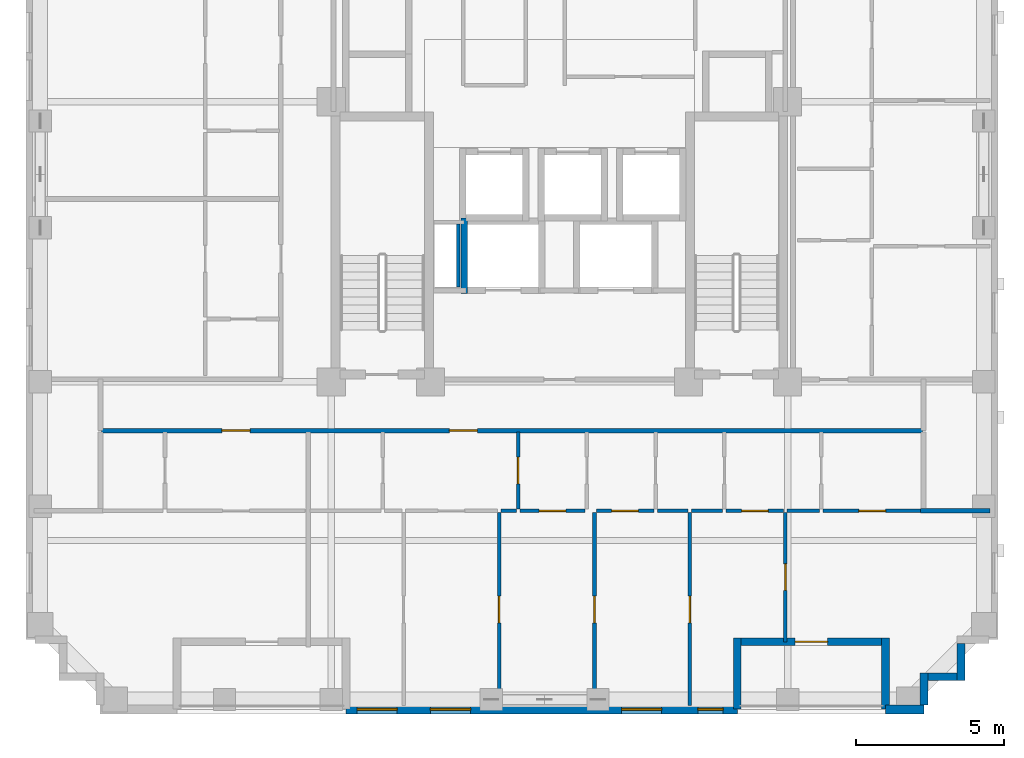
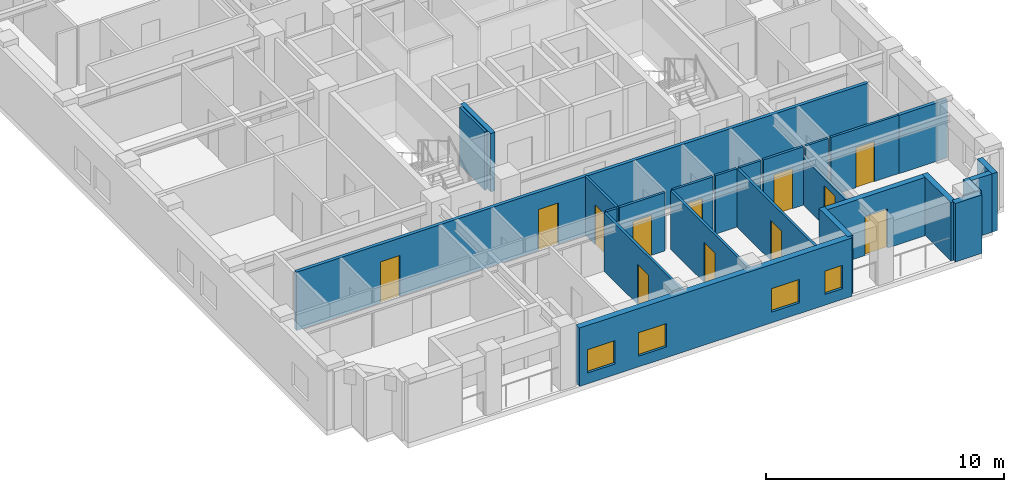
# One storey, part 3 of 11: 25 walls, 12 doors, 4 windows, 16 openings.
"""IFC4 building model written with IfcOpenShell, lengths in metres."""

from ifc_helpers import new_model, si_unit, derived_unit, direction, frame, frame_2d, origin, place, context, subcontext, project, spatial, rectangle, extrude, material, layer, layer_set, type_object, element, fill, save


model = new_model("IFC4")

# Units and contexts
model_context = context("Model", 3, precision=1e-05, world=origin(), true_north=direction((0.0, 1.0)))
body_context = subcontext(model_context, "Body", "Model", "MODEL_VIEW")
ifc_project = project(units=[si_unit("LENGTHUNIT", "METRE"), si_unit("AREAUNIT", "SQUARE_METRE"), si_unit("VOLUMEUNIT", "CUBIC_METRE"), si_unit("PLANEANGLEUNIT", "RADIAN"), si_unit("MASSUNIT", "GRAM", prefix="KILO"), derived_unit("THERMALTRANSMITTANCEUNIT", [(si_unit("MASSUNIT", "GRAM", prefix="KILO"), 1), (si_unit("TIMEUNIT", "SECOND"), -3), (si_unit("THERMODYNAMICTEMPERATUREUNIT", "KELVIN"), -1)])], contexts=[model_context])

# Site, building, storey
site_placement = place(None, origin())
site = spatial("IfcSite", under=ifc_project, at=site_placement, CompositionType="ELEMENT")
building_placement = place(site_placement, origin())
building = spatial("IfcBuilding", under=site, at=building_placement, Name="Korrvale Station Residences", CompositionType="ELEMENT")
storey_placement = place(building_placement, frame((0.0, 0.0, 143.89990234375)))
storey = spatial("IfcBuildingStorey", under=building, at=storey_placement, Name="L41", CompositionType="ELEMENT", Elevation=143.89990234375)

# Wall
ifc_material_1 = material(Name="Precast concrete C45/55", Category="concrete")
ifc_layer_1 = layer(ifc_material_1, 0.260009765625, Name="Precast concrete C45/55")
ifc_layer_set_1 = layer_set([ifc_layer_1], Name="Precast concrete C45/55")
wall_type_1 = type_object("IfcWallType", Name="WAL-EXT-LOG260", PredefinedType="SOLIDWALL", material=ifc_layer_set_1)
wall_1_placement = place(storey_placement, frame((36.5, 3.9599609375, 0.0), z_axis=(0.0, 0.0, 1.0), x_axis=(0.0, 1.0, 0.0)))
element("IfcWall", 1, at=wall_1_placement, inside=storey, type_object=wall_type_1, Name="L41 Recessed Loggia Wall BAL-L41-S2-L", PredefinedType="SOLIDWALL", context=body_context, shape_type="SweptSolid", body=[
    extrude(rectangle(XDim=2.400146484375, YDim=0.260009765625, at=frame_2d((1.2001953125, 0.0))), origin(), (0.0, 0.0, 1.0), 2.989990234375),
])

# Wall, opening, door
wall_2_placement = place(storey_placement, frame((36.365966796875, 6.22998046875, 0.0), z_axis=(0.0, 0.0, 1.0), x_axis=(-1.0, 0.0, 0.0)))
wall_2 = element("IfcWall", 2, at=wall_2_placement, inside=storey, type_object=wall_type_1, Name="L41 Recessed Loggia Wall BAL-L41-S2-B", PredefinedType="SOLIDWALL", context=body_context, shape_type="SweptSolid", body=[
    extrude(rectangle(XDim=4.73193359375, YDim=0.260009765625, at=frame_2d((2.365966796875, 0.0))), origin(), (0.0, 0.0, 1.0), 2.989990234375),
])
opening_1_placement = place(wall_2_placement, frame((1.81591796875, 0.0, 0.0)))
opening_1 = element("IfcOpeningElement", 3, at=opening_1_placement, cuts=wall_2, Name="Opening BD-01", PredefinedType="OPENING", context=body_context, shape_type="SweptSolid", body=[
    extrude(rectangle(XDim=1.10009765625, YDim=2.0, at=frame_2d((0.550048828125, 1.0))), frame((0.0, 0.14013671875, 0.0), z_axis=(0.0, -1.0, 0.0), x_axis=(1.0, 0.0, 0.0)), (0.0, 0.0, 1.0), 0.280029296875),
])
ifc_material_2 = material(Name="Exterior thermally broken aluminium glazed balcony door", Category="aluminium")
door_type_1 = type_object("IfcDoorType", Name="DR-EXT-BAL", OperationType="NOTDEFINED", PredefinedType="DOOR", material=ifc_material_2)
door_1_placement = place(opening_1_placement, origin())
door_1 = element("IfcDoor", 4, at=door_1_placement, inside=storey, type_object=door_type_1, Name="L41 Loggia Balcony Door BAL-L41-S2", OperationType="SINGLE_SWING_RIGHT", OverallHeight=2.0, OverallWidth=1.10009765625, PredefinedType="DOOR", context=body_context, shape_type="SweptSolid", body=[
    extrude(rectangle(XDim=1.10009765625, YDim=2.0, at=frame_2d((0.550048828125, 1.0))), frame((0.0, 0.02490234375, 0.0), z_axis=(0.0, -1.0, 0.0), x_axis=(1.0, 0.0, 0.0)), (0.0, 0.0, 1.0), 0.050048828125),
])
fill(opening_1, door_1)

# Walls
wall_3_placement = place(storey_placement, frame((31.5, 6.360107421875, 0.0), z_axis=(0.0, 0.0, 1.0), x_axis=(0.0, -1.0, 0.0)))
element("IfcWall", 5, at=wall_3_placement, inside=storey, type_object=wall_type_1, Name="L41 Recessed Loggia Wall BAL-L41-S2-R", PredefinedType="SOLIDWALL", context=body_context, shape_type="SweptSolid", body=[
    extrude(rectangle(XDim=2.400146484375, YDim=0.260009765625, at=frame_2d((1.2001953125, 0.0))), origin(), (0.0, 0.0, 1.0), 2.989990234375),
])
wall_4_placement = place(storey_placement, frame((39.050048828125, 6.16796875, 0.0), z_axis=(0.0, 0.0, 1.0), x_axis=(0.0, -1.0, 0.0)))
element("IfcWall", 6, at=wall_4_placement, inside=storey, type_object=wall_type_1, Name="L41 Serrated Corner Precast Step SE-2", PredefinedType="SOLIDWALL", context=body_context, shape_type="SweptSolid", body=[
    extrude(rectangle(XDim=1.248046875, YDim=0.260009765625, at=frame_2d((0.6240234375, 0.0))), origin(), (0.0, 0.0, 1.0), 2.989990234375),
])
wall_5_placement = place(storey_placement, frame((38.91796875, 5.050048828125, 0.0), z_axis=(0.0, 0.0, 1.0), x_axis=(-1.0, 0.0, 0.0)))
element("IfcWall", 7, at=wall_5_placement, inside=storey, type_object=wall_type_1, Name="L41 Serrated Corner Precast Step SE-3", PredefinedType="SOLIDWALL", context=body_context, shape_type="SweptSolid", body=[
    extrude(rectangle(XDim=0.986083984375, YDim=0.260009765625, at=frame_2d((0.4931640625, 0.0))), origin(), (0.0, 0.0, 1.0), 2.989990234375),
])
wall_6_placement = place(storey_placement, frame((37.800048828125, 5.179931640625, 0.0), z_axis=(0.0, 0.0, 1.0), x_axis=(0.0, -1.0, 0.0)))
element("IfcWall", 8, at=wall_6_placement, inside=storey, type_object=wall_type_1, Name="L41 Serrated Corner Precast Step SE-4", PredefinedType="SOLIDWALL", context=body_context, shape_type="SweptSolid", body=[
    extrude(rectangle(XDim=1.077880859375, YDim=0.260009765625, at=frame_2d((0.5390625, 0.0))), origin(), (0.0, 0.0, 1.0), 2.989990234375),
])
ifc_layer_2 = layer(ifc_material_1, 0.300048828125, Name="Precast concrete C45/55")
ifc_layer_set_2 = layer_set([ifc_layer_2], Name="Precast concrete C45/55")
wall_type_2 = type_object("IfcWallType", Name="WAL-EXT-PC300", PredefinedType="SOLIDWALL", material=ifc_layer_set_2)
wall_7_placement = place(storey_placement, frame((37.800048828125, 3.949951171875, 0.0), z_axis=(0.0, 0.0, 1.0), x_axis=(-1.0, 0.0, 0.0)))
element("IfcWall", 9, at=wall_7_placement, inside=storey, type_object=wall_type_2, Name="L41 South Exterior Precast Wall 1", PredefinedType="SOLIDWALL", context=body_context, shape_type="SweptSolid", body=[
    extrude(rectangle(XDim=1.300048828125, YDim=0.300048828125, at=frame_2d((0.64990234375, 0.0))), origin(), (0.0, 0.0, 1.0), 2.989990234375),
])

# Wall, openings, windows
wall_8_placement = place(storey_placement, frame((31.5, 3.949951171875, 0.0), z_axis=(0.0, 0.0, 1.0), x_axis=(-1.0, 0.0, 0.0)))
wall_8 = element("IfcWall", 10, at=wall_8_placement, inside=storey, type_object=wall_type_2, Name="L41 South Exterior Precast Wall 2", PredefinedType="SOLIDWALL", context=body_context, shape_type="SweptSolid", body=[
    extrude(rectangle(XDim=13.199951171875, YDim=0.300048828125, at=frame_2d((6.60009765625, 0.0))), origin(), (0.0, 0.0, 1.0), 2.989990234375),
])
opening_2_placement = place(wall_8_placement, frame((11.47607421875, 0.0, 0.550048828125)))
opening_2 = element("IfcOpeningElement", 11, at=opening_2_placement, cuts=wall_8, Name="Opening W-10", PredefinedType="OPENING", context=body_context, shape_type="SweptSolid", body=[
    extrude(rectangle(XDim=1.35009765625, YDim=1.199951171875, at=frame_2d((0.675048828125, 0.60009765625))), frame((0.0, 0.16015625, 0.0), z_axis=(0.0, -1.0, 0.0), x_axis=(1.0, 0.0, 0.0)), (0.0, 0.0, 1.0), 0.320068359375),
])
opening_3_placement = place(wall_8_placement, frame((9.0, 0.0, 0.550048828125)))
opening_3 = element("IfcOpeningElement", 12, at=opening_3_placement, cuts=wall_8, Name="Opening W-10", PredefinedType="OPENING", context=body_context, shape_type="SweptSolid", body=[
    extrude(rectangle(XDim=1.35009765625, YDim=1.199951171875, at=frame_2d((0.675048828125, 0.60009765625))), frame((0.0, 0.16015625, 0.0), z_axis=(0.0, -1.0, 0.0), x_axis=(1.0, 0.0, 0.0)), (0.0, 0.0, 1.0), 0.320068359375),
])
opening_4_placement = place(wall_8_placement, frame((2.550048828125, 0.0, 0.550048828125)))
opening_4 = element("IfcOpeningElement", 13, at=opening_4_placement, cuts=wall_8, Name="Opening W-10", PredefinedType="OPENING", context=body_context, shape_type="SweptSolid", body=[
    extrude(rectangle(XDim=1.35009765625, YDim=1.199951171875, at=frame_2d((0.675048828125, 0.60009765625))), frame((0.0, 0.16015625, 0.0), z_axis=(0.0, -1.0, 0.0), x_axis=(1.0, 0.0, 0.0)), (0.0, 0.0, 1.0), 0.320068359375),
])
opening_5_placement = place(wall_8_placement, frame((0.47509765625, 0.0, 0.550048828125)))
opening_5 = element("IfcOpeningElement", 14, at=opening_5_placement, cuts=wall_8, Name="Opening W-11", PredefinedType="OPENING", context=body_context, shape_type="SweptSolid", body=[
    extrude(rectangle(XDim=0.85009765625, YDim=1.199951171875, at=frame_2d((0.425048828125, 0.60009765625))), frame((0.0, 0.16015625, 0.0), z_axis=(0.0, -1.0, 0.0), x_axis=(1.0, 0.0, 0.0)), (0.0, 0.0, 1.0), 0.320068359375),
])
ifc_material_3 = material(Name="Thermally broken aluminium frame with triple low-e glazing", Category="aluminium")
window_type_1 = type_object("IfcWindowType", Name="WIN-W10", PartitioningType="SINGLE_PANEL", PredefinedType="WINDOW", material=ifc_material_3)
window_1_placement = place(opening_2_placement, origin())
window_1 = element("IfcWindow", 15, at=window_1_placement, inside=storey, type_object=window_type_1, Name="L41 Punched Window 02", OverallHeight=1.199951171875, OverallWidth=1.35009765625, PartitioningType="SINGLE_PANEL", PredefinedType="WINDOW", context=body_context, shape_type="SweptSolid", body=[
    extrude(rectangle(XDim=1.35009765625, YDim=1.199951171875, at=frame_2d((0.675048828125, 0.60009765625))), frame((0.0, 0.030029296875, 0.0), z_axis=(0.0, -1.0, 0.0), x_axis=(1.0, 0.0, 0.0)), (0.0, 0.0, 1.0), 0.06005859375),
])
fill(opening_2, window_1)
window_2_placement = place(opening_3_placement, origin())
window_2 = element("IfcWindow", 16, at=window_2_placement, inside=storey, type_object=window_type_1, Name="L41 Punched Window 03", OverallHeight=1.199951171875, OverallWidth=1.35009765625, PartitioningType="SINGLE_PANEL", PredefinedType="WINDOW", context=body_context, shape_type="SweptSolid", body=[
    extrude(rectangle(XDim=1.35009765625, YDim=1.199951171875, at=frame_2d((0.675048828125, 0.60009765625))), frame((0.0, 0.030029296875, 0.0), z_axis=(0.0, -1.0, 0.0), x_axis=(1.0, 0.0, 0.0)), (0.0, 0.0, 1.0), 0.06005859375),
])
fill(opening_3, window_2)
window_3_placement = place(opening_4_placement, origin())
window_3 = element("IfcWindow", 17, at=window_3_placement, inside=storey, type_object=window_type_1, Name="L41 Punched Window 04", OverallHeight=1.199951171875, OverallWidth=1.35009765625, PartitioningType="SINGLE_PANEL", PredefinedType="WINDOW", context=body_context, shape_type="SweptSolid", body=[
    extrude(rectangle(XDim=1.35009765625, YDim=1.199951171875, at=frame_2d((0.675048828125, 0.60009765625))), frame((0.0, 0.030029296875, 0.0), z_axis=(0.0, -1.0, 0.0), x_axis=(1.0, 0.0, 0.0)), (0.0, 0.0, 1.0), 0.06005859375),
])
fill(opening_4, window_3)
window_type_2 = type_object("IfcWindowType", Name="WIN-W11", PartitioningType="SINGLE_PANEL", PredefinedType="WINDOW", material=ifc_material_3)
window_4_placement = place(opening_5_placement, origin())
window_4 = element("IfcWindow", 18, at=window_4_placement, inside=storey, type_object=window_type_2, Name="L41 Punched Window 05", OverallHeight=1.199951171875, OverallWidth=0.85009765625, PartitioningType="SINGLE_PANEL", PredefinedType="WINDOW", context=body_context, shape_type="SweptSolid", body=[
    extrude(rectangle(XDim=0.85009765625, YDim=1.199951171875, at=frame_2d((0.425048828125, 0.60009765625))), frame((0.0, 0.030029296875, 0.0), z_axis=(0.0, -1.0, 0.0), x_axis=(1.0, 0.0, 0.0)), (0.0, 0.0, 1.0), 0.06005859375),
])
fill(opening_5, window_4)

# Wall
ifc_material_4 = material(Name="Acoustic steel-stud gypsum board partition", Category="steel")
ifc_layer_3 = layer(ifc_material_4, 0.1201171875, Name="Acoustic steel-stud gypsum board partition")
ifc_layer_set_3 = layer_set([ifc_layer_3], Name="Acoustic steel-stud gypsum board partition")
wall_type_3 = type_object("IfcWallType", Name="WAL-PART-125", PredefinedType="PARTITIONING", material=ifc_layer_set_3)
wall_9_placement = place(storey_placement, frame((22.080078125, 18.199951171875, 0.0), z_axis=(0.0, 0.0, 1.0), x_axis=(0.0, 1.0, 0.0)))
element("IfcWall", 19, at=wall_9_placement, inside=storey, type_object=wall_type_3, Name="L41 Core Partition CW-RSWT", PredefinedType="PARTITIONING", context=body_context, shape_type="SweptSolid", body=[
    extrude(rectangle(XDim=2.1201171875, YDim=0.1201171875, at=frame_2d((1.06005859375, 0.0))), origin(), (0.0, 0.0, 1.0), 2.989990234375),
])

# Wall, opening, door
wall_10_placement = place(storey_placement, frame((24.10400390625, 10.7099609375, 0.0), z_axis=(0.0, 0.0, 1.0), x_axis=(0.0, 1.0, 0.0)))
wall_10 = element("IfcWall", 20, at=wall_10_placement, inside=storey, type_object=wall_type_3, Name="L41 Suite Partition U02-V12", PredefinedType="PARTITIONING", context=body_context, shape_type="SweptSolid", body=[
    extrude(rectangle(XDim=2.60009765625, YDim=0.1201171875, at=frame_2d((1.300048828125, 0.0))), origin(), (0.0, 0.0, 1.0), 2.989990234375),
])
opening_6_placement = place(wall_10_placement, frame((0.85009765625, 0.0, 0.0)))
opening_6 = element("IfcOpeningElement", 21, at=opening_6_placement, cuts=wall_10, Name="Opening DI-900", PredefinedType="OPENING", context=body_context, shape_type="SweptSolid", body=[
    extrude(rectangle(XDim=0.89990234375, YDim=2.050048828125, at=frame_2d((0.449951171875, 1.02490234375))), frame((0.0, 0.070068359375, 0.0), z_axis=(0.0, -1.0, 0.0), x_axis=(1.0, 0.0, 0.0)), (0.0, 0.0, 1.0), 0.14013671875),
])
ifc_material_5 = material(Name="Painted solid-core timber interior room door", Category="wood")
door_type_2 = type_object("IfcDoorType", Name="DR-INT-900", OperationType="NOTDEFINED", PredefinedType="DOOR", material=ifc_material_5)
door_2_placement = place(opening_6_placement, origin())
door_2 = element("IfcDoor", 22, at=door_2_placement, inside=storey, type_object=door_type_2, Name="L41 Studio Apartment L41-U02 Kitchen Door", OperationType="SINGLE_SWING_LEFT", OverallHeight=2.050048828125, OverallWidth=0.89990234375, PredefinedType="DOOR", context=body_context, shape_type="SweptSolid", body=[
    extrude(rectangle(XDim=0.89990234375, YDim=2.050048828125, at=frame_2d((0.449951171875, 1.02490234375))), frame((0.0, 0.02490234375, 0.0), z_axis=(0.0, -1.0, 0.0), x_axis=(1.0, 0.0, 0.0)), (0.0, 0.0, 1.0), 0.050048828125),
])
fill(opening_6, door_2)

# Wall
wall_11_placement = place(storey_placement, frame((23.52392578125, 10.64990234375, 0.0), z_axis=(0.0, 0.0, 1.0), x_axis=(1.0, 0.0, 0.0)))
element("IfcWall", 23, at=wall_11_placement, inside=storey, type_object=wall_type_3, Name="L41 Suite Partition U02-H19", PredefinedType="PARTITIONING", context=body_context, shape_type="SweptSolid", body=[
    extrude(rectangle(XDim=0.52001953125, YDim=0.1201171875, at=frame_2d((0.260009765625, 0.0))), origin(), (0.0, 0.0, 1.0), 2.989990234375),
])

# Wall, opening, door
wall_12_placement = place(storey_placement, frame((24.1640625, 10.64990234375, 0.0), z_axis=(0.0, 0.0, 1.0), x_axis=(1.0, 0.0, 0.0)))
wall_12 = element("IfcWall", 24, at=wall_12_placement, inside=storey, type_object=wall_type_3, Name="L41 Suite Partition U02-H29", PredefinedType="PARTITIONING", context=body_context, shape_type="SweptSolid", body=[
    extrude(rectangle(XDim=2.199951171875, YDim=0.1201171875, at=frame_2d((1.10009765625, 0.0))), origin(), (0.0, 0.0, 1.0), 2.989990234375),
])
opening_7_placement = place(wall_12_placement, frame((0.64990234375, 0.0, 0.0)))
opening_7 = element("IfcOpeningElement", 25, at=opening_7_placement, cuts=wall_12, Name="Opening DI-900", PredefinedType="OPENING", context=body_context, shape_type="SweptSolid", body=[
    extrude(rectangle(XDim=0.89990234375, YDim=2.050048828125, at=frame_2d((0.449951171875, 1.02490234375))), frame((0.0, 0.070068359375, 0.0), z_axis=(0.0, -1.0, 0.0), x_axis=(1.0, 0.0, 0.0)), (0.0, 0.0, 1.0), 0.14013671875),
])
door_3_placement = place(opening_7_placement, origin())
door_3 = element("IfcDoor", 26, at=door_3_placement, inside=storey, type_object=door_type_2, Name="L41 Studio Apartment L41-U02 Wardrobe Storage Room Door", OperationType="SINGLE_SWING_RIGHT", OverallHeight=2.050048828125, OverallWidth=0.89990234375, PredefinedType="DOOR", context=body_context, shape_type="SweptSolid", body=[
    extrude(rectangle(XDim=0.89990234375, YDim=2.050048828125, at=frame_2d((0.449951171875, 1.02490234375))), frame((0.0, 0.02490234375, 0.0), z_axis=(0.0, -1.0, 0.0), x_axis=(1.0, 0.0, 0.0)), (0.0, 0.0, 1.0), 0.050048828125),
])
fill(opening_7, door_3)

wall_13_placement = place(storey_placement, frame((26.743896484375, 10.64990234375, 0.0), z_axis=(0.0, 0.0, 1.0), x_axis=(1.0, 0.0, 0.0)))
wall_13 = element("IfcWall", 27, at=wall_13_placement, inside=storey, type_object=wall_type_3, Name="L41 Suite Partition U02-H310", PredefinedType="PARTITIONING", context=body_context, shape_type="SweptSolid", body=[
    extrude(rectangle(XDim=1.940185546875, YDim=0.1201171875, at=frame_2d((0.97021484375, 0.0))), origin(), (0.0, 0.0, 1.0), 2.989990234375),
])
opening_8_placement = place(wall_13_placement, frame((0.52001953125, 0.0, 0.0)))
opening_8 = element("IfcOpeningElement", 28, at=opening_8_placement, cuts=wall_13, Name="Opening DI-900", PredefinedType="OPENING", context=body_context, shape_type="SweptSolid", body=[
    extrude(rectangle(XDim=0.89990234375, YDim=2.050048828125, at=frame_2d((0.449951171875, 1.02490234375))), frame((0.0, 0.070068359375, 0.0), z_axis=(0.0, -1.0, 0.0), x_axis=(1.0, 0.0, 0.0)), (0.0, 0.0, 1.0), 0.14013671875),
])
door_4_placement = place(opening_8_placement, origin())
door_4 = element("IfcDoor", 29, at=door_4_placement, inside=storey, type_object=door_type_2, Name="L41 Studio Apartment L41-U02 Wardrobe Storage Room Door", OperationType="SINGLE_SWING_RIGHT", OverallHeight=2.050048828125, OverallWidth=0.89990234375, PredefinedType="DOOR", context=body_context, shape_type="SweptSolid", body=[
    extrude(rectangle(XDim=0.89990234375, YDim=2.050048828125, at=frame_2d((0.449951171875, 1.02490234375))), frame((0.0, 0.02490234375, 0.0), z_axis=(0.0, -1.0, 0.0), x_axis=(1.0, 0.0, 0.0)), (0.0, 0.0, 1.0), 0.050048828125),
])
fill(opening_8, door_4)

# Walls
wall_14_placement = place(storey_placement, frame((28.803955078125, 10.64990234375, 0.0), z_axis=(0.0, 0.0, 1.0), x_axis=(1.0, 0.0, 0.0)))
element("IfcWall", 30, at=wall_14_placement, inside=storey, type_object=wall_type_3, Name="L41 Suite Partition U02-H410", PredefinedType="PARTITIONING", context=body_context, shape_type="SweptSolid", body=[
    extrude(rectangle(XDim=1.0400390625, YDim=0.1201171875, at=frame_2d((0.52001953125, 0.0))), origin(), (0.0, 0.0, 1.0), 2.989990234375),
])
wall_15_placement = place(storey_placement, frame((29.964111328125, 10.64990234375, 0.0), z_axis=(0.0, 0.0, 1.0), x_axis=(1.0, 0.0, 0.0)))
element("IfcWall", 31, at=wall_15_placement, inside=storey, type_object=wall_type_3, Name="L41 Suite Partition U02-H411", PredefinedType="PARTITIONING", context=body_context, shape_type="SweptSolid", body=[
    extrude(rectangle(XDim=1.039794921875, YDim=0.1201171875, at=frame_2d((0.52001953125, 0.0))), origin(), (0.0, 0.0, 1.0), 2.989990234375),
])

# Wall, opening, door
wall_16_placement = place(storey_placement, frame((31.1240234375, 10.64990234375, 0.0), z_axis=(0.0, 0.0, 1.0), x_axis=(1.0, 0.0, 0.0)))
wall_16 = element("IfcWall", 32, at=wall_16_placement, inside=storey, type_object=wall_type_3, Name="L41 Suite Partition U02-H511", PredefinedType="PARTITIONING", context=body_context, shape_type="SweptSolid", body=[
    extrude(rectangle(XDim=1.93994140625, YDim=0.1201171875, at=frame_2d((0.969970703125, 0.0))), origin(), (0.0, 0.0, 1.0), 2.989990234375),
])
opening_9_placement = place(wall_16_placement, frame((0.52001953125, 0.0, 0.0)))
opening_9 = element("IfcOpeningElement", 33, at=opening_9_placement, cuts=wall_16, Name="Opening DI-900", PredefinedType="OPENING", context=body_context, shape_type="SweptSolid", body=[
    extrude(rectangle(XDim=0.89990234375, YDim=2.050048828125, at=frame_2d((0.449951171875, 1.02490234375))), frame((0.0, 0.070068359375, 0.0), z_axis=(0.0, -1.0, 0.0), x_axis=(1.0, 0.0, 0.0)), (0.0, 0.0, 1.0), 0.14013671875),
])
door_5_placement = place(opening_9_placement, origin())
door_5 = element("IfcDoor", 34, at=door_5_placement, inside=storey, type_object=door_type_2, Name="L41 Studio Apartment L41-U02 Utility and Laundry Room Door", OperationType="SINGLE_SWING_LEFT", OverallHeight=2.050048828125, OverallWidth=0.89990234375, PredefinedType="DOOR", context=body_context, shape_type="SweptSolid", body=[
    extrude(rectangle(XDim=0.89990234375, YDim=2.050048828125, at=frame_2d((0.449951171875, 1.02490234375))), frame((0.0, 0.02490234375, 0.0), z_axis=(0.0, -1.0, 0.0), x_axis=(1.0, 0.0, 0.0)), (0.0, 0.0, 1.0), 0.050048828125),
])
fill(opening_9, door_5)

# Wall
wall_17_placement = place(storey_placement, frame((33.18408203125, 10.64990234375, 0.0), z_axis=(0.0, 0.0, 1.0), x_axis=(1.0, 0.0, 0.0)))
element("IfcWall", 35, at=wall_17_placement, inside=storey, type_object=wall_type_3, Name="L41 Suite Partition U02-H512", PredefinedType="PARTITIONING", context=body_context, shape_type="SweptSolid", body=[
    extrude(rectangle(XDim=1.08984375, YDim=0.1201171875, at=frame_2d((0.544921875, 0.0))), origin(), (0.0, 0.0, 1.0), 2.989990234375),
])

# Wall, opening, door
wall_18_placement = place(storey_placement, frame((34.39404296875, 10.64990234375, 0.0), z_axis=(0.0, 0.0, 1.0), x_axis=(1.0, 0.0, 0.0)))
wall_18 = element("IfcWall", 36, at=wall_18_placement, inside=storey, type_object=wall_type_3, Name="L41 Suite Partition U02-H612", PredefinedType="PARTITIONING", context=body_context, shape_type="SweptSolid", body=[
    extrude(rectangle(XDim=3.325927734375, YDim=0.1201171875, at=frame_2d((1.6630859375, 0.0))), origin(), (0.0, 0.0, 1.0), 2.989990234375),
])
opening_10_placement = place(wall_18_placement, frame((1.212890625, 0.0, 0.0)))
opening_10 = element("IfcOpeningElement", 37, at=opening_10_placement, cuts=wall_18, Name="Opening DI-900", PredefinedType="OPENING", context=body_context, shape_type="SweptSolid", body=[
    extrude(rectangle(XDim=0.89990234375, YDim=2.050048828125, at=frame_2d((0.449951171875, 1.02490234375))), frame((0.0, 0.070068359375, 0.0), z_axis=(0.0, -1.0, 0.0), x_axis=(1.0, 0.0, 0.0)), (0.0, 0.0, 1.0), 0.14013671875),
])
door_6_placement = place(opening_10_placement, origin())
door_6 = element("IfcDoor", 38, at=door_6_placement, inside=storey, type_object=door_type_2, Name="L41 Studio Apartment L41-U02 Storage Closet 2 Door", OperationType="SINGLE_SWING_RIGHT", OverallHeight=2.050048828125, OverallWidth=0.89990234375, PredefinedType="DOOR", context=body_context, shape_type="SweptSolid", body=[
    extrude(rectangle(XDim=0.89990234375, YDim=2.050048828125, at=frame_2d((0.449951171875, 1.02490234375))), frame((0.0, 0.02490234375, 0.0), z_axis=(0.0, -1.0, 0.0), x_axis=(1.0, 0.0, 0.0)), (0.0, 0.0, 1.0), 0.050048828125),
])
fill(opening_10, door_6)

wall_19_placement = place(storey_placement, frame((23.464111328125, 4.080078125, 0.0), z_axis=(0.0, 0.0, 1.0), x_axis=(0.0, 1.0, 0.0)))
wall_19 = element("IfcWall", 39, at=wall_19_placement, inside=storey, type_object=wall_type_3, Name="L41 Suite Partition U02-V89", PredefinedType="PARTITIONING", context=body_context, shape_type="SweptSolid", body=[
    extrude(rectangle(XDim=6.510009765625, YDim=0.1201171875, at=frame_2d((3.2548828125, 0.0))), origin(), (0.0, 0.0, 1.0), 2.989990234375),
])
opening_11_placement = place(wall_19_placement, frame((2.7900390625, 0.0, 0.0)))
opening_11 = element("IfcOpeningElement", 40, at=opening_11_placement, cuts=wall_19, Name="Opening DI-900", PredefinedType="OPENING", context=body_context, shape_type="SweptSolid", body=[
    extrude(rectangle(XDim=0.89990234375, YDim=2.050048828125, at=frame_2d((0.449951171875, 1.02490234375))), frame((0.0, 0.070068359375, 0.0), z_axis=(0.0, -1.0, 0.0), x_axis=(1.0, 0.0, 0.0)), (0.0, 0.0, 1.0), 0.14013671875),
])
door_7_placement = place(opening_11_placement, origin())
door_7 = element("IfcDoor", 41, at=door_7_placement, inside=storey, type_object=door_type_2, Name="L41 Studio Apartment L41-U02 Formal Dining Room Door", OperationType="SINGLE_SWING_RIGHT", OverallHeight=2.050048828125, OverallWidth=0.89990234375, PredefinedType="DOOR", context=body_context, shape_type="SweptSolid", body=[
    extrude(rectangle(XDim=0.89990234375, YDim=2.050048828125, at=frame_2d((0.449951171875, 1.02490234375))), frame((0.0, 0.02490234375, 0.0), z_axis=(0.0, -1.0, 0.0), x_axis=(1.0, 0.0, 0.0)), (0.0, 0.0, 1.0), 0.050048828125),
])
fill(opening_11, door_7)

wall_20_placement = place(storey_placement, frame((26.68408203125, 4.080078125, 0.0), z_axis=(0.0, 0.0, 1.0), x_axis=(0.0, 1.0, 0.0)))
wall_20 = element("IfcWall", 42, at=wall_20_placement, inside=storey, type_object=wall_type_3, Name="L41 Suite Partition U02-V910", PredefinedType="PARTITIONING", context=body_context, shape_type="SweptSolid", body=[
    extrude(rectangle(XDim=6.510009765625, YDim=0.1201171875, at=frame_2d((3.2548828125, 0.0))), origin(), (0.0, 0.0, 1.0), 2.989990234375),
])
opening_12_placement = place(wall_20_placement, frame((2.7900390625, 0.0, 0.0)))
opening_12 = element("IfcOpeningElement", 43, at=opening_12_placement, cuts=wall_20, Name="Opening DI-900", PredefinedType="OPENING", context=body_context, shape_type="SweptSolid", body=[
    extrude(rectangle(XDim=0.89990234375, YDim=2.050048828125, at=frame_2d((0.449951171875, 1.02490234375))), frame((0.0, 0.070068359375, 0.0), z_axis=(0.0, -1.0, 0.0), x_axis=(1.0, 0.0, 0.0)), (0.0, 0.0, 1.0), 0.14013671875),
])
door_8_placement = place(opening_12_placement, origin())
door_8 = element("IfcDoor", 44, at=door_8_placement, inside=storey, type_object=door_type_2, Name="L41 Studio Apartment L41-U02 Walk-In Wardrobe Door", OperationType="SINGLE_SWING_LEFT", OverallHeight=2.050048828125, OverallWidth=0.89990234375, PredefinedType="DOOR", context=body_context, shape_type="SweptSolid", body=[
    extrude(rectangle(XDim=0.89990234375, YDim=2.050048828125, at=frame_2d((0.449951171875, 1.02490234375))), frame((0.0, 0.02490234375, 0.0), z_axis=(0.0, -1.0, 0.0), x_axis=(1.0, 0.0, 0.0)), (0.0, 0.0, 1.0), 0.050048828125),
])
fill(opening_12, door_8)

wall_21_placement = place(storey_placement, frame((29.904052734375, 4.080078125, 0.0), z_axis=(0.0, 0.0, 1.0), x_axis=(0.0, 1.0, 0.0)))
wall_21 = element("IfcWall", 45, at=wall_21_placement, inside=storey, type_object=wall_type_3, Name="L41 Suite Partition U02-V1011", PredefinedType="PARTITIONING", context=body_context, shape_type="SweptSolid", body=[
    extrude(rectangle(XDim=6.510009765625, YDim=0.1201171875, at=frame_2d((3.2548828125, 0.0))), origin(), (0.0, 0.0, 1.0), 2.989990234375),
])
opening_13_placement = place(wall_21_placement, frame((2.7900390625, 0.0, 0.0)))
opening_13 = element("IfcOpeningElement", 46, at=opening_13_placement, cuts=wall_21, Name="Opening DI-900", PredefinedType="OPENING", context=body_context, shape_type="SweptSolid", body=[
    extrude(rectangle(XDim=0.89990234375, YDim=2.050048828125, at=frame_2d((0.449951171875, 1.02490234375))), frame((0.0, 0.070068359375, 0.0), z_axis=(0.0, -1.0, 0.0), x_axis=(1.0, 0.0, 0.0)), (0.0, 0.0, 1.0), 0.14013671875),
])
door_9_placement = place(opening_13_placement, origin())
door_9 = element("IfcDoor", 47, at=door_9_placement, inside=storey, type_object=door_type_2, Name="L41 Studio Apartment L41-U02 Formal Dining Room Door", OperationType="SINGLE_SWING_RIGHT", OverallHeight=2.050048828125, OverallWidth=0.89990234375, PredefinedType="DOOR", context=body_context, shape_type="SweptSolid", body=[
    extrude(rectangle(XDim=0.89990234375, YDim=2.050048828125, at=frame_2d((0.449951171875, 1.02490234375))), frame((0.0, 0.02490234375, 0.0), z_axis=(0.0, -1.0, 0.0), x_axis=(1.0, 0.0, 0.0)), (0.0, 0.0, 1.0), 0.050048828125),
])
fill(opening_13, door_9)

wall_22_placement = place(storey_placement, frame((33.1240234375, 6.22998046875, 0.0), z_axis=(0.0, 0.0, 1.0), x_axis=(0.0, 1.0, 0.0)))
wall_22 = element("IfcWall", 48, at=wall_22_placement, inside=storey, type_object=wall_type_3, Name="L41 Suite Partition U02-V1112", PredefinedType="PARTITIONING", context=body_context, shape_type="SweptSolid", body=[
    extrude(rectangle(XDim=4.360107421875, YDim=0.1201171875, at=frame_2d((2.18017578125, 0.0))), origin(), (0.0, 0.0, 1.0), 2.426025390625),
])
opening_14_placement = place(wall_22_placement, frame((1.72998046875, 0.0, 0.0)))
opening_14 = element("IfcOpeningElement", 49, at=opening_14_placement, cuts=wall_22, Name="Opening DI-900", PredefinedType="OPENING", context=body_context, shape_type="SweptSolid", body=[
    extrude(rectangle(XDim=0.89990234375, YDim=2.050048828125, at=frame_2d((0.449951171875, 1.02490234375))), frame((0.0, 0.070068359375, 0.0), z_axis=(0.0, -1.0, 0.0), x_axis=(1.0, 0.0, 0.0)), (0.0, 0.0, 1.0), 0.14013671875),
])
door_10_placement = place(opening_14_placement, origin())
door_10 = element("IfcDoor", 50, at=door_10_placement, inside=storey, type_object=door_type_2, Name="L41 Studio Apartment L41-U02 Formal Dining Room Door", OperationType="SINGLE_SWING_LEFT", OverallHeight=2.050048828125, OverallWidth=0.89990234375, PredefinedType="DOOR", context=body_context, shape_type="SweptSolid", body=[
    extrude(rectangle(XDim=0.89990234375, YDim=2.050048828125, at=frame_2d((0.449951171875, 1.02490234375))), frame((0.0, 0.02490234375, 0.0), z_axis=(0.0, -1.0, 0.0), x_axis=(1.0, 0.0, 0.0)), (0.0, 0.0, 1.0), 0.050048828125),
])
fill(opening_14, door_10)

# Wall
ifc_material_6 = material(Name="Fire-rated twin-stud gypsum and mineral wool shaftwall assembly", Category="gypsum")
ifc_layer_4 = layer(ifc_material_6, 0.159912109375, Name="Fire-rated twin-stud gypsum and mineral wool shaftwall assembly")
ifc_layer_set_4 = layer_set([ifc_layer_4], Name="Fire-rated twin-stud gypsum and mineral wool shaftwall assembly")
wall_type_4 = type_object("IfcWallType", Name="WAL-PART-200", PredefinedType="PARTITIONING", material=ifc_layer_set_4)
wall_23_placement = place(storey_placement, frame((37.679931640625, 10.64990234375, 0.0), z_axis=(0.0, 0.0, 1.0), x_axis=(1.0, 0.0, 0.0)))
element("IfcWall", 51, at=wall_23_placement, inside=storey, type_object=wall_type_4, Name="L41 Corner Step Wall U02-R", PredefinedType="PARTITIONING", context=body_context, shape_type="SweptSolid", body=[
    extrude(rectangle(XDim=2.340087890625, YDim=0.159912109375, at=frame_2d((1.169921875, 0.0))), origin(), (0.0, 0.0, 1.0), 2.989990234375),
])

# Wall, openings, doors
wall_24_placement = place(storey_placement, frame((10.050048828125, 13.35009765625, 0.0), z_axis=(0.0, 0.0, 1.0), x_axis=(1.0, 0.0, 0.0)))
wall_24 = element("IfcWall", 52, at=wall_24_placement, inside=storey, type_object=wall_type_4, Name="L41 Rated Corridor Wall S", PredefinedType="PARTITIONING", context=body_context, shape_type="SweptSolid", body=[
    extrude(rectangle(XDim=27.699951171875, YDim=0.159912109375, at=frame_2d((13.85009765625, 0.0))), origin(), (0.0, 0.0, 1.0), 2.989990234375),
])
opening_15_placement = place(wall_24_placement, frame((4.06298828125, 0.0, 0.0)))
opening_15 = element("IfcOpeningElement", 53, at=opening_15_placement, cuts=wall_24, Name="Opening UD-950", PredefinedType="OPENING", context=body_context, shape_type="SweptSolid", body=[
    extrude(rectangle(XDim=0.949951171875, YDim=2.10009765625, at=frame_2d((0.47509765625, 1.050048828125))), frame((0.0, 0.08984375, 0.0), z_axis=(0.0, -1.0, 0.0), x_axis=(1.0, 0.0, 0.0)), (0.0, 0.0, 1.0), 0.179931640625),
])
opening_16_placement = place(wall_24_placement, frame((11.735107421875, 0.0, 0.0)))
opening_16 = element("IfcOpeningElement", 54, at=opening_16_placement, cuts=wall_24, Name="Opening UD-950", PredefinedType="OPENING", context=body_context, shape_type="SweptSolid", body=[
    extrude(rectangle(XDim=0.949951171875, YDim=2.10009765625, at=frame_2d((0.47509765625, 1.050048828125))), frame((0.0, 0.08984375, 0.0), z_axis=(0.0, -1.0, 0.0), x_axis=(1.0, 0.0, 0.0)), (0.0, 0.0, 1.0), 0.179931640625),
])
ifc_material_7 = material(Name="Solid-core acoustic oak apartment entrance door", Category="timber")
door_type_3 = type_object("IfcDoorType", Name="DR-UNIT-950", OperationType="NOTDEFINED", PredefinedType="DOOR", material=ifc_material_7)
door_11_placement = place(opening_15_placement, origin())
door_11 = element("IfcDoor", 55, at=door_11_placement, inside=storey, type_object=door_type_3, Name="L41 Apartment L41-U01 Entrance Door", OperationType="SINGLE_SWING_LEFT", OverallHeight=2.10009765625, OverallWidth=0.949951171875, PredefinedType="DOOR", context=body_context, shape_type="SweptSolid", body=[
    extrude(rectangle(XDim=0.949951171875, YDim=2.10009765625, at=frame_2d((0.47509765625, 1.050048828125))), frame((0.0, 0.02490234375, 0.0), z_axis=(0.0, -1.0, 0.0), x_axis=(1.0, 0.0, 0.0)), (0.0, 0.0, 1.0), 0.050048828125),
])
fill(opening_15, door_11)
door_12_placement = place(opening_16_placement, origin())
door_12 = element("IfcDoor", 56, at=door_12_placement, inside=storey, type_object=door_type_3, Name="L41 Apartment L41-U02 Entrance Door", OperationType="SINGLE_SWING_RIGHT", OverallHeight=2.10009765625, OverallWidth=0.949951171875, PredefinedType="DOOR", context=body_context, shape_type="SweptSolid", body=[
    extrude(rectangle(XDim=0.949951171875, YDim=2.10009765625, at=frame_2d((0.47509765625, 1.050048828125))), frame((0.0, 0.02490234375, 0.0), z_axis=(0.0, -1.0, 0.0), x_axis=(1.0, 0.0, 0.0)), (0.0, 0.0, 1.0), 0.050048828125),
])
fill(opening_16, door_12)

# Wall
ifc_material_8 = material(Name="Concrete C60/75", Category="concrete")
ifc_layer_5 = layer(ifc_material_8, 0.219970703125, Name="Concrete C60/75")
ifc_layer_set_5 = layer_set([ifc_layer_5], Name="Concrete C60/75")
wall_type_5 = type_object("IfcWallType", Name="WAL-SHAFT-220-C60", PredefinedType="SHEAR", material=ifc_layer_set_5)
wall_25_placement = place(storey_placement, frame((22.2900390625, 17.97998046875, 0.0), z_axis=(0.0, 0.0, 1.0), x_axis=(0.0, 1.0, 0.0)))
element("IfcWall", 57, at=wall_25_placement, inside=storey, type_object=wall_type_5, Name="L41 Elevator FFL-1 Hoistway Wall West", PredefinedType="SHEAR", context=body_context, shape_type="SweptSolid", body=[
    extrude(rectangle(XDim=2.5400390625, YDim=0.219970703125, at=frame_2d((1.27001953125, 0.0))), origin(), (0.0, 0.0, 1.0), 2.989990234375),
])

save(model, "model.ifc")
